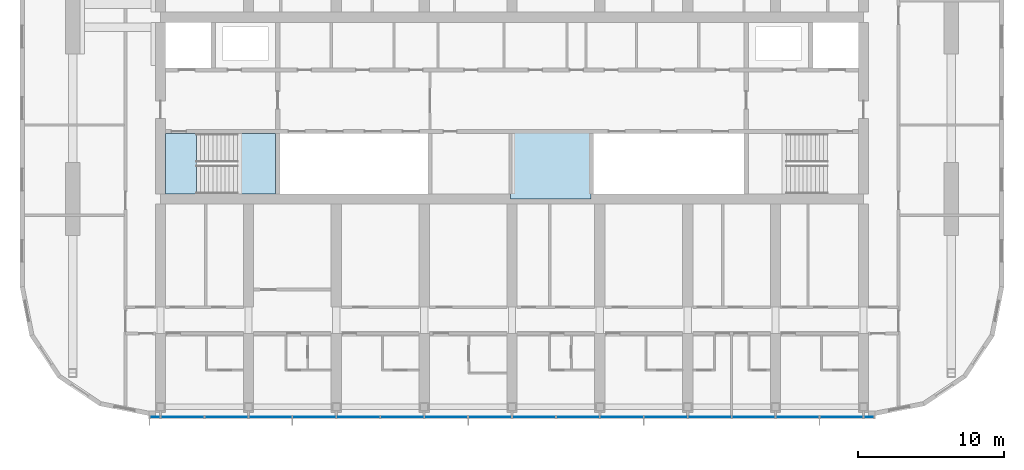
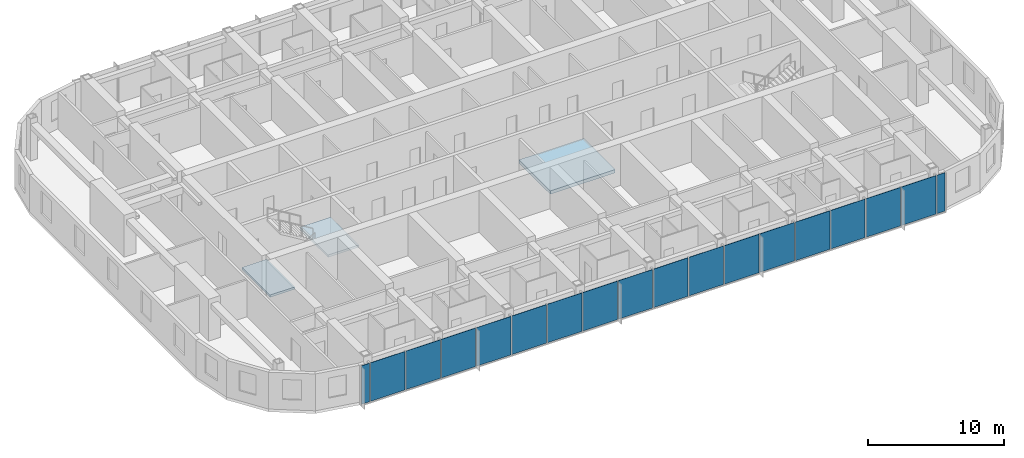
# One storey, part 7 of 23: 18 plates, 3 slabs, 2 elements without a shape of their own.
"""IFC4 building model written with IfcOpenShell, lengths in metres."""

from ifc_helpers import new_model, si_unit, direction, frame, origin, origin_2d, place, context, subcontext, project, spatial, polyline, rectangle, outline, extrude, material, layer, layer_set, type_object, element, aggregate, save


model = new_model("IFC4")

# Units and contexts
model_context = context("Model", 3, precision=1e-05, world=origin(), true_north=direction((0.0, 1.0)))
body_context = subcontext(model_context, "Body", "Model", "MODEL_VIEW")
ifc_project = project(units=[si_unit("LENGTHUNIT", "METRE"), si_unit("AREAUNIT", "SQUARE_METRE"), si_unit("VOLUMEUNIT", "CUBIC_METRE"), si_unit("PLANEANGLEUNIT", "RADIAN"), si_unit("MASSUNIT", "GRAM", prefix="KILO")], contexts=[model_context])

# Site, building, storey
site_placement = place(None, origin())
site = spatial("IfcSite", under=ifc_project, at=site_placement, CompositionType="ELEMENT")
building_placement = place(site_placement, origin())
building = spatial("IfcBuilding", under=site, at=building_placement, Name="Orbita Commons", CompositionType="ELEMENT")
storey_placement = place(building_placement, frame((0.0, 0.0, 212.800048828125)))
storey = spatial("IfcBuildingStorey", under=building, at=storey_placement, Name="L52", CompositionType="ELEMENT", Elevation=212.800048828125)

# Curtain wall, plates
ifc_material_1 = material(Name="Anodised aluminium frame, pale silver", Category="aluminium")
curtain_wall_type = type_object("IfcCurtainWallType", Name="Unitised curtain wall CW-U, full-height vision", PredefinedType="NOTDEFINED", material=ifc_material_1)
curtain_wall_placement = place(storey_placement, origin())
curtain_wall = element("IfcCurtainWall", 1, at=curtain_wall_placement, inside=storey, type_object=curtain_wall_type, Name="Curtain wall south L52", PredefinedType="NOTDEFINED")
ifc_material_2 = material(Name="Clear double glazing", Category="glass")
ifc_layer_1 = layer(ifc_material_2, 0.031982421875)
ifc_layer_set_1 = layer_set([ifc_layer_1], Name="Clear double glazing")
plate_type = type_object("IfcPlateType", Name="Full-height vision panel, clear glazing 32", PredefinedType="CURTAIN_PANEL", material=ifc_layer_set_1)
plate_1_placement = place(storey_placement, frame((17.6201171875, 10.889892578125, -0.14990234375), z_axis=(0.0, 0.0, 1.0), x_axis=(1.0, 0.0, 0.0)))
plate_1 = element("IfcPlate", 2, at=plate_1_placement, type_object=plate_type, Name="Panel 1.1 CW-L52-S", PredefinedType="CURTAIN_PANEL", context=body_context, shape_type="SweptSolid", body=[
    extrude(rectangle(XDim=0.679931640625, YDim=0.031982421875, at=origin_2d()), origin(), (0.0, 0.0, 1.0), 3.449951171875),
])
plate_2_placement = place(storey_placement, frame((19.5, 10.889892578125, -0.14990234375), z_axis=(0.0, 0.0, 1.0), x_axis=(1.0, 0.0, 0.0)))
plate_2 = element("IfcPlate", 3, at=plate_2_placement, type_object=plate_type, Name="Panel 2.1 CW-L52-S", PredefinedType="CURTAIN_PANEL", context=body_context, shape_type="SweptSolid", body=[
    extrude(rectangle(XDim=2.919921875, YDim=0.031982421875, at=origin_2d()), origin(), (0.0, 0.0, 1.0), 3.449951171875),
])
plate_3_placement = place(storey_placement, frame((22.5, 10.889892578125, -0.14990234375), z_axis=(0.0, 0.0, 1.0), x_axis=(1.0, 0.0, 0.0)))
plate_3 = element("IfcPlate", 4, at=plate_3_placement, type_object=plate_type, Name="Panel 3.1 CW-L52-S", PredefinedType="CURTAIN_PANEL", context=body_context, shape_type="SweptSolid", body=[
    extrude(rectangle(XDim=2.919921875, YDim=0.031982421875, at=origin_2d()), origin(), (0.0, 0.0, 1.0), 3.449951171875),
])
plate_4_placement = place(storey_placement, frame((25.5, 10.889892578125, -0.14990234375), z_axis=(0.0, 0.0, 1.0), x_axis=(1.0, 0.0, 0.0)))
plate_4 = element("IfcPlate", 5, at=plate_4_placement, type_object=plate_type, Name="Panel 4.1 CW-L52-S", PredefinedType="CURTAIN_PANEL", context=body_context, shape_type="SweptSolid", body=[
    extrude(rectangle(XDim=2.919921875, YDim=0.031982421875, at=origin_2d()), origin(), (0.0, 0.0, 1.0), 3.449951171875),
])
plate_5_placement = place(storey_placement, frame((28.5, 10.889892578125, -0.14990234375), z_axis=(0.0, 0.0, 1.0), x_axis=(1.0, 0.0, 0.0)))
plate_5 = element("IfcPlate", 6, at=plate_5_placement, type_object=plate_type, Name="Panel 5.1 CW-L52-S", PredefinedType="CURTAIN_PANEL", context=body_context, shape_type="SweptSolid", body=[
    extrude(rectangle(XDim=2.919921875, YDim=0.031982421875, at=origin_2d()), origin(), (0.0, 0.0, 1.0), 3.449951171875),
])
plate_6_placement = place(storey_placement, frame((31.5, 10.889892578125, -0.14990234375), z_axis=(0.0, 0.0, 1.0), x_axis=(1.0, 0.0, 0.0)))
plate_6 = element("IfcPlate", 7, at=plate_6_placement, type_object=plate_type, Name="Panel 6.1 CW-L52-S", PredefinedType="CURTAIN_PANEL", context=body_context, shape_type="SweptSolid", body=[
    extrude(rectangle(XDim=2.919921875, YDim=0.031982421875, at=origin_2d()), origin(), (0.0, 0.0, 1.0), 3.449951171875),
])
plate_7_placement = place(storey_placement, frame((34.5, 10.889892578125, -0.14990234375), z_axis=(0.0, 0.0, 1.0), x_axis=(1.0, 0.0, 0.0)))
plate_7 = element("IfcPlate", 8, at=plate_7_placement, type_object=plate_type, Name="Panel 7.1 CW-L52-S", PredefinedType="CURTAIN_PANEL", context=body_context, shape_type="SweptSolid", body=[
    extrude(rectangle(XDim=2.919921875, YDim=0.031982421875, at=origin_2d()), origin(), (0.0, 0.0, 1.0), 3.449951171875),
])
plate_8_placement = place(storey_placement, frame((37.5, 10.889892578125, -0.14990234375), z_axis=(0.0, 0.0, 1.0), x_axis=(1.0, 0.0, 0.0)))
plate_8 = element("IfcPlate", 9, at=plate_8_placement, type_object=plate_type, Name="Panel 8.1 CW-L52-S", PredefinedType="CURTAIN_PANEL", context=body_context, shape_type="SweptSolid", body=[
    extrude(rectangle(XDim=2.919921875, YDim=0.031982421875, at=origin_2d()), origin(), (0.0, 0.0, 1.0), 3.449951171875),
])
plate_9_placement = place(storey_placement, frame((40.5, 10.889892578125, -0.14990234375), z_axis=(0.0, 0.0, 1.0), x_axis=(1.0, 0.0, 0.0)))
plate_9 = element("IfcPlate", 10, at=plate_9_placement, type_object=plate_type, Name="Panel 9.1 CW-L52-S", PredefinedType="CURTAIN_PANEL", context=body_context, shape_type="SweptSolid", body=[
    extrude(rectangle(XDim=2.919921875, YDim=0.031982421875, at=origin_2d()), origin(), (0.0, 0.0, 1.0), 3.449951171875),
])
plate_10_placement = place(storey_placement, frame((43.5, 10.889892578125, -0.14990234375), z_axis=(0.0, 0.0, 1.0), x_axis=(1.0, 0.0, 0.0)))
plate_10 = element("IfcPlate", 11, at=plate_10_placement, type_object=plate_type, Name="Panel 10.1 CW-L52-S", PredefinedType="CURTAIN_PANEL", context=body_context, shape_type="SweptSolid", body=[
    extrude(rectangle(XDim=2.919921875, YDim=0.031982421875, at=origin_2d()), origin(), (0.0, 0.0, 1.0), 3.449951171875),
])
plate_11_placement = place(storey_placement, frame((46.5, 10.889892578125, -0.14990234375), z_axis=(0.0, 0.0, 1.0), x_axis=(1.0, 0.0, 0.0)))
plate_11 = element("IfcPlate", 12, at=plate_11_placement, type_object=plate_type, Name="Panel 11.1 CW-L52-S", PredefinedType="CURTAIN_PANEL", context=body_context, shape_type="SweptSolid", body=[
    extrude(rectangle(XDim=2.919921875, YDim=0.031982421875, at=origin_2d()), origin(), (0.0, 0.0, 1.0), 3.449951171875),
])
plate_12_placement = place(storey_placement, frame((49.5, 10.889892578125, -0.14990234375), z_axis=(0.0, 0.0, 1.0), x_axis=(1.0, 0.0, 0.0)))
plate_12 = element("IfcPlate", 13, at=plate_12_placement, type_object=plate_type, Name="Panel 12.1 CW-L52-S", PredefinedType="CURTAIN_PANEL", context=body_context, shape_type="SweptSolid", body=[
    extrude(rectangle(XDim=2.919921875, YDim=0.031982421875, at=origin_2d()), origin(), (0.0, 0.0, 1.0), 3.449951171875),
])
plate_13_placement = place(storey_placement, frame((52.5, 10.889892578125, -0.14990234375), z_axis=(0.0, 0.0, 1.0), x_axis=(1.0, 0.0, 0.0)))
plate_13 = element("IfcPlate", 14, at=plate_13_placement, type_object=plate_type, Name="Panel 13.1 CW-L52-S", PredefinedType="CURTAIN_PANEL", context=body_context, shape_type="SweptSolid", body=[
    extrude(rectangle(XDim=2.919921875, YDim=0.031982421875, at=origin_2d()), origin(), (0.0, 0.0, 1.0), 3.449951171875),
])
plate_14_placement = place(storey_placement, frame((55.5, 10.889892578125, -0.14990234375), z_axis=(0.0, 0.0, 1.0), x_axis=(1.0, 0.0, 0.0)))
plate_14 = element("IfcPlate", 15, at=plate_14_placement, type_object=plate_type, Name="Panel 14.1 CW-L52-S", PredefinedType="CURTAIN_PANEL", context=body_context, shape_type="SweptSolid", body=[
    extrude(rectangle(XDim=2.919921875, YDim=0.031982421875, at=origin_2d()), origin(), (0.0, 0.0, 1.0), 3.449951171875),
])
plate_15_placement = place(storey_placement, frame((58.5, 10.889892578125, -0.14990234375), z_axis=(0.0, 0.0, 1.0), x_axis=(1.0, 0.0, 0.0)))
plate_15 = element("IfcPlate", 16, at=plate_15_placement, type_object=plate_type, Name="Panel 15.1 CW-L52-S", PredefinedType="CURTAIN_PANEL", context=body_context, shape_type="SweptSolid", body=[
    extrude(rectangle(XDim=2.919921875, YDim=0.031982421875, at=origin_2d()), origin(), (0.0, 0.0, 1.0), 3.449951171875),
])
plate_16_placement = place(storey_placement, frame((61.5, 10.889892578125, -0.14990234375), z_axis=(0.0, 0.0, 1.0), x_axis=(1.0, 0.0, 0.0)))
plate_16 = element("IfcPlate", 17, at=plate_16_placement, type_object=plate_type, Name="Panel 16.1 CW-L52-S", PredefinedType="CURTAIN_PANEL", context=body_context, shape_type="SweptSolid", body=[
    extrude(rectangle(XDim=2.919921875, YDim=0.031982421875, at=origin_2d()), origin(), (0.0, 0.0, 1.0), 3.449951171875),
])
plate_17_placement = place(storey_placement, frame((64.5, 10.889892578125, -0.14990234375), z_axis=(0.0, 0.0, 1.0), x_axis=(1.0, 0.0, 0.0)))
plate_17 = element("IfcPlate", 18, at=plate_17_placement, type_object=plate_type, Name="Panel 17.1 CW-L52-S", PredefinedType="CURTAIN_PANEL", context=body_context, shape_type="SweptSolid", body=[
    extrude(rectangle(XDim=2.919921875, YDim=0.031982421875, at=origin_2d()), origin(), (0.0, 0.0, 1.0), 3.449951171875),
])
plate_18_placement = place(storey_placement, frame((66.3798828125, 10.889892578125, -0.14990234375), z_axis=(0.0, 0.0, 1.0), x_axis=(1.0, 0.0, 0.0)))
plate_18 = element("IfcPlate", 19, at=plate_18_placement, type_object=plate_type, Name="Panel 18.1 CW-L52-S", PredefinedType="CURTAIN_PANEL", context=body_context, shape_type="SweptSolid", body=[
    extrude(rectangle(XDim=0.679931640625, YDim=0.031982421875, at=origin_2d()), origin(), (0.0, 0.0, 1.0), 3.449951171875),
])
aggregate(curtain_wall, [plate_1, plate_2, plate_3, plate_4, plate_5, plate_6, plate_7, plate_8, plate_9, plate_10, plate_11, plate_12, plate_13, plate_14, plate_15, plate_16, plate_17, plate_18])

# Slab
ifc_material_3 = material(Name="Concrete C40/50", Category="concrete")
ifc_layer_2 = layer(ifc_material_3, 0.300048828125)
ifc_layer_set_2 = layer_set([ifc_layer_2], Name="Concrete C40/50")
slab_type_1 = type_object("IfcSlabType", Name="Lift overrun roof 300", PredefinedType="ROOF", material=ifc_layer_set_2)
slab_1_placement = place(storey_placement, frame((0.0, 0.0, 1.0)))
element("IfcSlab", 20, at=slab_1_placement, inside=storey, type_object=slab_type_1, Name="Lift overrun roof bank SH3", PredefinedType="ROOF", context=body_context, shape_type="SweptSolid", body=[
    extrude(outline(polyline([(41.89990234375, 25.800048828125), (47.39990234375, 25.800048828125), (47.39990234375, 30.39990234375), (41.89990234375, 30.39990234375), (41.89990234375, 25.800048828125)])), origin(), (0.0, 0.0, 1.0), 0.300048828125),
])

# Stair, slabs
ifc_material_4 = material(Name="Precast concrete C40/50", Category="concrete")
stair_type = type_object("IfcStairType", Name="Exit stair S1 2 flights 11 risers 170", PredefinedType="HALF_TURN_STAIR", material=ifc_material_4)
stair_placement = place(storey_placement, origin())
stair = element("IfcStair", 21, at=stair_placement, inside=storey, type_object=stair_type, Name="Exit stair S1 L52", PredefinedType="HALF_TURN_STAIR")
ifc_material_5 = material(Name="Concrete C40/50", Category="concrete")
ifc_layer_3 = layer(ifc_material_5, 0.199951171875)
ifc_layer_set_3 = layer_set([ifc_layer_3], Name="Concrete C40/50")
slab_type_2 = type_object("IfcSlabType", Name="Stair landing 200", PredefinedType="LANDING", material=ifc_layer_set_3)
slab_2_placement = place(storey_placement, frame((0.0, 0.0, -0.199951171875)))
slab_2 = element("IfcSlab", 22, at=slab_2_placement, type_object=slab_type_2, Name="S1 landing 1", PredefinedType="LANDING", context=body_context, shape_type="SweptSolid", body=[
    extrude(outline(polyline([(18.35009765625, 26.14990234375), (20.449951171875, 26.14990234375), (20.449951171875, 30.25), (18.35009765625, 30.25), (18.35009765625, 26.14990234375)])), origin(), (0.0, 0.0, 1.0), 0.199951171875),
])
slab_3_placement = place(storey_placement, frame((0.0, 0.0, 1.675048828125)))
slab_3 = element("IfcSlab", 23, at=slab_3_placement, type_object=slab_type_2, Name="S1 landing 2", PredefinedType="LANDING", context=body_context, shape_type="SweptSolid", body=[
    extrude(outline(polyline([(23.25, 26.135009765625), (25.864990234375, 26.135009765625), (25.864990234375, 30.264892578125), (23.25, 30.264892578125), (23.25, 26.135009765625)])), origin(), (0.0, 0.0, 1.0), 0.199951171875),
])
aggregate(stair, [slab_2, slab_3])

save(model, "model.ifc")
